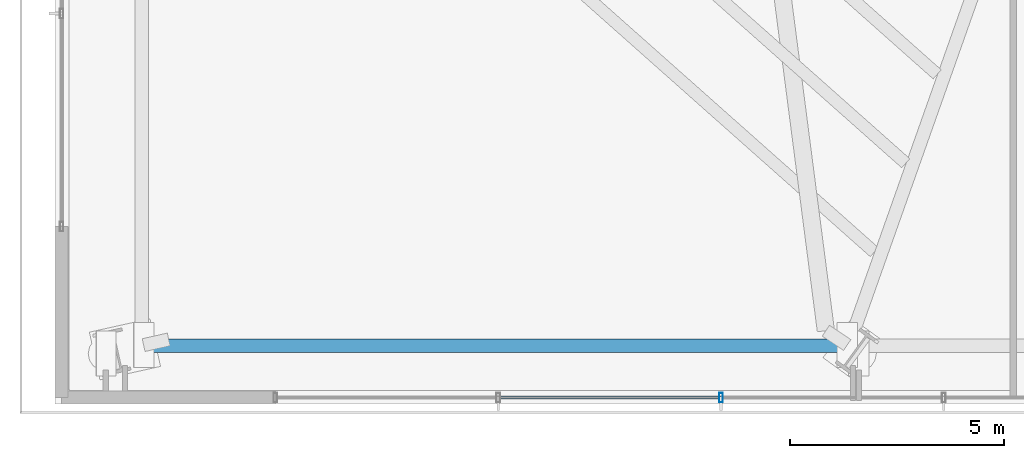
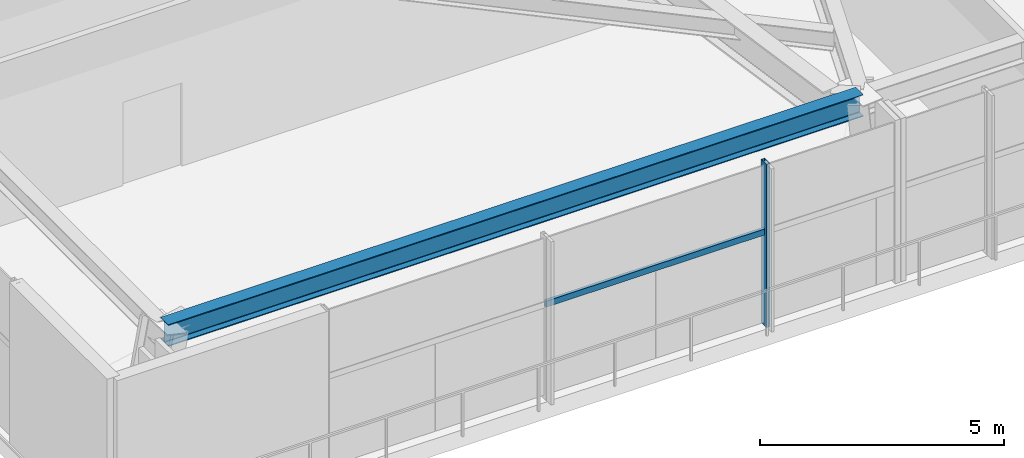
# One storey, part 3 of 33: 2 members, 1 beam, 1 element without a shape of its own.
"""IFC4 building model written with IfcOpenShell, lengths in metres."""

from ifc_helpers import new_model, si_unit, direction, frame, origin, origin_2d, place, context, subcontext, project, spatial, hollow_rectangle, i_section, extrude, source, transform, mapped, material, material_profile, profile_set, type_object, type_shapes, element, aggregate, save


model = new_model("IFC4")

# Units and contexts
model_context = context("Model", 3, precision=1e-05, world=origin(), true_north=direction((0.0, 1.0)))
body_context = subcontext(model_context, "Body", "Model", "MODEL_VIEW")
ifc_project = project(units=[si_unit("LENGTHUNIT", "METRE"), si_unit("AREAUNIT", "SQUARE_METRE"), si_unit("VOLUMEUNIT", "CUBIC_METRE"), si_unit("PLANEANGLEUNIT", "RADIAN"), si_unit("MASSUNIT", "GRAM", prefix="KILO")], contexts=[model_context])

# Site, building, storey
site_placement = place(None, origin())
site = spatial("IfcSite", under=ifc_project, at=site_placement, CompositionType="ELEMENT")
building_placement = place(site_placement, origin())
building = spatial("IfcBuilding", under=site, at=building_placement, Name="Astriad Promenade Condominiums", CompositionType="ELEMENT")
storey_placement = place(building_placement, frame((0.0, 0.0, 9.5)))
storey = spatial("IfcBuildingStorey", under=building, at=storey_placement, Name="L02", CompositionType="ELEMENT", Elevation=9.5)

# Beam
ifc_material_1 = material(Name="Steel ASTM A992 Grade 50", Category="steel")
ifc_material_profile_1 = material_profile(ifc_material_1, i_section(OverallWidth=0.3134765625, OverallDepth=0.54638671875, WebThickness=0.013916015625, FlangeThickness=0.022216796875, FilletRadius=0.0166015625, at=origin_2d()), Name="W21X111")
ifc_profile_set_1 = profile_set([ifc_material_profile_1], Name="Steel ASTM A992 Grade 50")
beam_type = type_object("IfcBeamType", Name="STEEL SPANDREL BEAM W21X111", PredefinedType="SPANDREL", material=ifc_profile_set_1)
shared_shape_1 = source(origin(), body_context, "Body", "SweptSolid", [
    extrude(i_section(OverallWidth=0.3134765625, OverallDepth=0.54638671875, WebThickness=0.013916015625, FlangeThickness=0.022216796875, FilletRadius=0.0166015625, at=origin_2d()), origin(), (0.0, 0.0, 1.0), 16.433837890625),
])
type_shapes(beam_type, [shared_shape_1])
beam_placement = place(storey_placement, frame((4.65966796875, 2.566650390625, 3.806884765625), z_axis=(1.0, 0.0, 0.0), x_axis=(0.0, 1.0, 0.0)))
element("IfcBeam", 1, at=beam_placement, inside=storey, type_object=beam_type, Name="Perimeter Spandrel Beam SP-S1-L02", PredefinedType="SPANDREL", context=body_context, shape_type="MappedRepresentation", body=[
    mapped(shared_shape_1, transform((0.0, 0.0, 0.0), scale=1.0)),
])

# Curtain wall, members
ifc_material_2 = material(Name="Anodised aluminium Black Dark Glass Unitised", Category="aluminium")
curtain_wall_type = type_object("IfcCurtainWallType", Name="CW-POD-DARK", PredefinedType="USERDEFINED", material=ifc_material_2)
curtain_wall_placement = place(storey_placement, origin())
curtain_wall = element("IfcCurtainWall", 2, at=curtain_wall_placement, inside=storey, type_object=curtain_wall_type, Name="CW-L02-S", ObjectType="UNITISED_CURTAIN_WALL", PredefinedType="USERDEFINED")
ifc_material_3 = material(Name="Anodised aluminium 6063-T6 Black", Category="aluminium")
ifc_material_profile_2 = material_profile(ifc_material_3, hollow_rectangle(XDim=0.0849609375, YDim=0.219970703125, WallThickness=0.0048828125, at=origin_2d()), Name="ALU-MUL-85X220")
ifc_profile_set_2 = profile_set([ifc_material_profile_2], Name="Anodised aluminium 6063-T6 Black")
member_type_1 = type_object("IfcMemberType", Name="MUL-ALU-MUL-85X220", PredefinedType="MULLION", material=ifc_profile_set_2)
shared_shape_2 = source(origin(), body_context, "Body", "SweptSolid", [
    extrude(hollow_rectangle(XDim=0.0849609375, YDim=0.219970703125, WallThickness=0.0048828125, at=origin_2d()), origin(), (0.0, 0.0, 1.0), 4.080078125),
])
type_shapes(member_type_1, [shared_shape_2])
member_1_placement = place(storey_placement, frame((18.166748046875, 1.35009765625, 0.0), z_axis=(0.0, 0.0, 1.0), x_axis=(1.0, 0.0, 0.0)))
member_1 = element("IfcMember", 3, at=member_1_placement, type_object=member_type_1, Name="CW-L02-S-MUL-10", PredefinedType="MULLION", context=body_context, shape_type="MappedRepresentation", body=[
    mapped(shared_shape_2, transform((0.0, 0.0, 0.0), scale=1.0)),
])
ifc_material_profile_3 = material_profile(ifc_material_3, hollow_rectangle(XDim=0.074951171875, YDim=0.14990234375, WallThickness=0.004150390625, at=origin_2d()), Name="ALU-TRN-75X150")
ifc_profile_set_3 = profile_set([ifc_material_profile_3], Name="Anodised aluminium 6063-T6 Black")
member_type_2 = type_object("IfcMemberType", Name="TRN-ALU-TRN-75X150", PredefinedType="USERDEFINED", material=ifc_profile_set_3)
shared_shape_3 = source(origin(), body_context, "Body", "SweptSolid", [
    extrude(hollow_rectangle(XDim=0.074951171875, YDim=0.14990234375, WallThickness=0.004150390625, at=origin_2d()), origin(), (0.0, 0.0, 1.0), 5.20849609375),
])
type_shapes(member_type_2, [shared_shape_3])
member_2_placement = place(storey_placement, frame((18.166748046875, 1.35009765625, 2.35009765625), z_axis=(-1.0, 0.0, 0.0), x_axis=(0.0, -1.0, 0.0)))
member_2 = element("IfcMember", 4, at=member_2_placement, type_object=member_type_2, Name="CW-L02-S-TRN-10-0", ObjectType="TRANSOM", PredefinedType="USERDEFINED", context=body_context, shape_type="MappedRepresentation", body=[
    mapped(shared_shape_3, transform((0.0, 0.0, 0.0), scale=1.0)),
])
aggregate(curtain_wall, [member_1, member_2])

save(model, "model.ifc")
